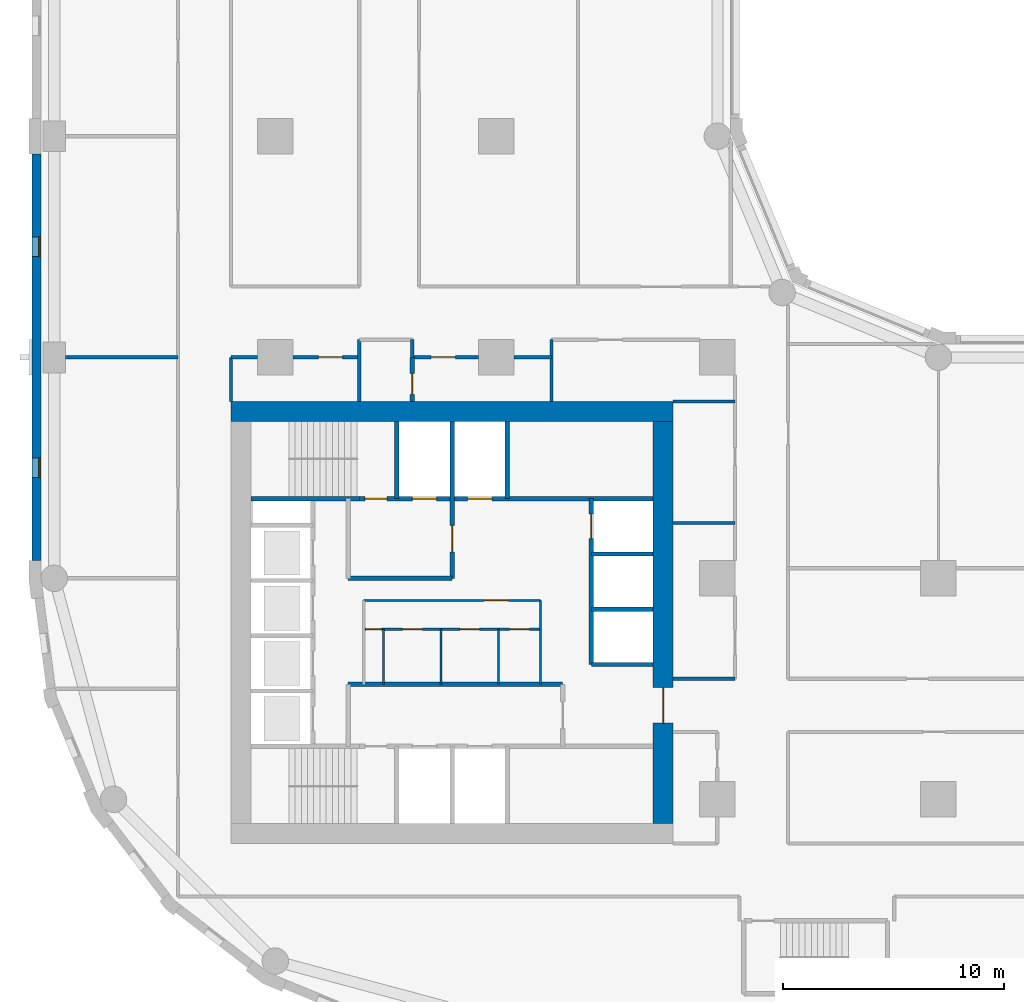
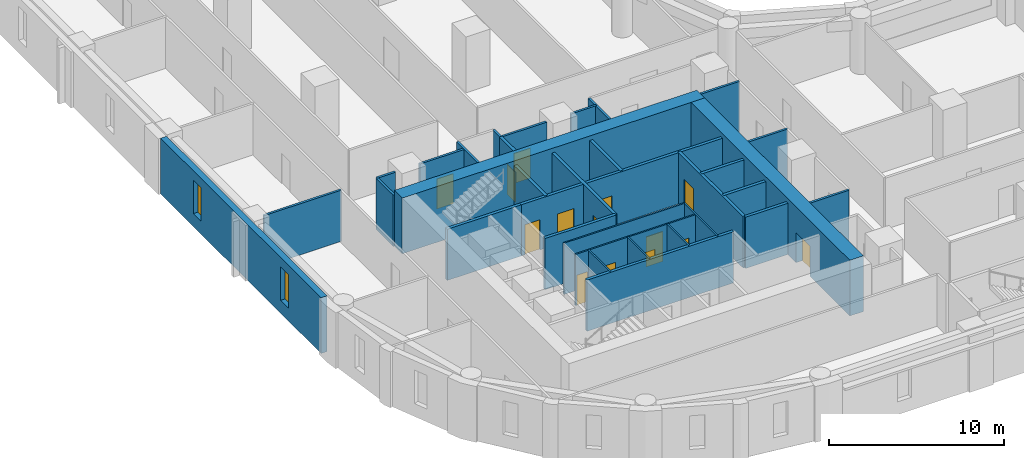
# One storey, part 3 of 10: 33 walls, 14 doors, 2 windows, 16 openings.
"""IFC4 building model written with IfcOpenShell, lengths in metres."""

from ifc_helpers import new_model, si_unit, direction, frame, frame_2d, origin, place, context, subcontext, project, spatial, rectangle, extrude, material, layer, layer_set, type_object, element, fill, save


model = new_model("IFC4")

# Units and contexts
model_context = context("Model", 3, precision=1e-05, world=origin(), true_north=direction((0.0, 1.0)))
body_context = subcontext(model_context, "Body", "Model", "MODEL_VIEW")
ifc_project = project(units=[si_unit("LENGTHUNIT", "METRE"), si_unit("AREAUNIT", "SQUARE_METRE"), si_unit("VOLUMEUNIT", "CUBIC_METRE"), si_unit("PLANEANGLEUNIT", "RADIAN"), si_unit("MASSUNIT", "GRAM", prefix="KILO")], contexts=[model_context])

# Site, building, storey
site_placement = place(None, origin())
site = spatial("IfcSite", under=ifc_project, at=site_placement, CompositionType="ELEMENT")
building_placement = place(site_placement, origin())
building = spatial("IfcBuilding", under=site, at=building_placement, Name="Qaws Garden Tower", CompositionType="ELEMENT")
storey_placement = place(building_placement, frame((0.0, 0.0, 70.5)))
storey = spatial("IfcBuildingStorey", under=building, at=storey_placement, Name="L17", CompositionType="ELEMENT", Elevation=70.5)

# Wall, opening, door
ifc_material_1 = material(Name="Blockwork", Category="masonry")
ifc_layer_1 = layer(ifc_material_1, 0.199951171875)
ifc_layer_set_1 = layer_set([ifc_layer_1], Name="Blockwork")
wall_type_1 = type_object("IfcWallType", Name="BLOCK WALL 200 EI 60", PredefinedType="PARTITIONING", material=ifc_layer_set_1)
wall_1_placement = place(storey_placement, frame((16.199951171875, 28.0, 0.0), z_axis=(0.0, 0.0, 1.0), x_axis=(0.0, 1.0, 0.0)))
wall_1 = element("IfcWall", 1, at=wall_1_placement, inside=storey, type_object=wall_type_1, Name="O-L17-wall-066", PredefinedType="PARTITIONING", context=body_context, shape_type="SweptSolid", body=[
    extrude(rectangle(XDim=2.0, YDim=0.199951171875, at=frame_2d((1.0, 0.0))), origin(), (0.0, 0.0, 1.0), 3.580078125),
])
opening_1_placement = place(wall_1_placement, frame((0.324951171875, 0.0, 0.0)))
opening_1 = element("IfcOpeningElement", 2, at=opening_1_placement, cuts=wall_1, Name="Opening A629", PredefinedType="OPENING", context=body_context, shape_type="SweptSolid", body=[
    extrude(rectangle(XDim=0.949951171875, YDim=2.10009765625, at=frame_2d((0.47509765625, 1.050048828125))), frame((0.0, 0.10986328125, 0.0), z_axis=(0.0, -1.0, 0.0), x_axis=(1.0, 0.0, 0.0)), (0.0, 0.0, 1.0), 0.219970703125),
])
ifc_material_2 = material(Name="Timber and glass door leaf", Category="wood")
door_type_1 = type_object("IfcDoorType", Name="GLAZED DOOR 950 X 2100", OperationType="SINGLE_SWING_LEFT", PredefinedType="DOOR", material=ifc_material_2)
door_1_placement = place(opening_1_placement, origin())
door_1 = element("IfcDoor", 3, at=door_1_placement, inside=storey, type_object=door_type_1, Name="O-L17-door-029", OperationType="SINGLE_SWING_LEFT", OverallHeight=2.10009765625, OverallWidth=0.949951171875, PredefinedType="DOOR", context=body_context, shape_type="SweptSolid", body=[
    extrude(rectangle(XDim=0.949951171875, YDim=2.10009765625, at=frame_2d((0.47509765625, 1.050048828125))), frame((0.0, 0.02490234375, 0.0), z_axis=(0.0, -1.0, 0.0), x_axis=(1.0, 0.0, 0.0)), (0.0, 0.0, 1.0), 0.050048828125),
])
fill(opening_1, door_1)

# Wall, openings, windows
ifc_material_3 = material(Name="Clay facing brick masonry", Category="masonry")
ifc_layer_2 = layer(ifc_material_3, 0.39990234375)
ifc_layer_set_2 = layer_set([ifc_layer_2], Name="Clay facing brick masonry")
wall_type_2 = type_object("IfcWallType", Name="Brick infill wall 400", PredefinedType="SOLIDWALL", material=ifc_layer_set_2)
wall_2_placement = place(storey_placement, frame((-0.800048828125, 39.199951171875, 0.0), z_axis=(0.0, 0.0, 1.0), x_axis=(0.0, -1.0, 0.0)))
wall_2 = element("IfcWall", 4, at=wall_2_placement, inside=storey, type_object=wall_type_2, Name="E-L17-infill-25", PredefinedType="SOLIDWALL", context=body_context, shape_type="SweptSolid", body=[
    extrude(rectangle(XDim=18.39990234375, YDim=0.39990234375, at=frame_2d((9.199951171875, 0.0))), origin(), (0.0, 0.0, 1.0), 3.89990234375),
])
opening_2_placement = place(wall_2_placement, frame((3.75, 0.0, 0.89990234375)))
opening_2 = element("IfcOpeningElement", 5, at=opening_2_placement, cuts=wall_2, Name="Opening W09", PredefinedType="OPENING", context=body_context, shape_type="SweptSolid", body=[
    extrude(rectangle(XDim=0.89990234375, YDim=2.35009765625, at=frame_2d((0.449951171875, 1.175048828125))), frame((0.0, 0.2099609375, 0.0), z_axis=(0.0, -1.0, 0.0), x_axis=(1.0, 0.0, 0.0)), (0.0, 0.0, 1.0), 0.419921875),
])
opening_3_placement = place(wall_2_placement, frame((13.75, 0.0, 0.89990234375)))
opening_3 = element("IfcOpeningElement", 6, at=opening_3_placement, cuts=wall_2, Name="Opening W09", PredefinedType="OPENING", context=body_context, shape_type="SweptSolid", body=[
    extrude(rectangle(XDim=0.89990234375, YDim=2.35009765625, at=frame_2d((0.449951171875, 1.175048828125))), frame((0.0, 0.2099609375, 0.0), z_axis=(0.0, -1.0, 0.0), x_axis=(1.0, 0.0, 0.0)), (0.0, 0.0, 1.0), 0.419921875),
])
ifc_material_4 = material(Name="Aluminium framed window, clear glazing", Category="aluminium")
window_type = type_object("IfcWindowType", Name="Slit window 900 x 2350", PartitioningType="SINGLE_PANEL", PredefinedType="WINDOW", material=ifc_material_4)
window_1_placement = place(opening_2_placement, origin())
window_1 = element("IfcWindow", 7, at=window_1_placement, inside=storey, type_object=window_type, Name="E-L17-window-25-0", OverallHeight=2.35009765625, OverallWidth=0.89990234375, PartitioningType="SINGLE_PANEL", PredefinedType="WINDOW", context=body_context, shape_type="SweptSolid", body=[
    extrude(rectangle(XDim=0.89990234375, YDim=2.35009765625, at=frame_2d((0.449951171875, 1.175048828125))), frame((0.0, 0.159912109375, 0.0), z_axis=(0.0, -1.0, 0.0), x_axis=(1.0, 0.0, 0.0)), (0.0, 0.0, 1.0), 0.06005859375),
])
fill(opening_2, window_1)
window_2_placement = place(opening_3_placement, origin())
window_2 = element("IfcWindow", 8, at=window_2_placement, inside=storey, type_object=window_type, Name="E-L17-window-26-0", OverallHeight=2.35009765625, OverallWidth=0.89990234375, PartitioningType="SINGLE_PANEL", PredefinedType="WINDOW", context=body_context, shape_type="SweptSolid", body=[
    extrude(rectangle(XDim=0.89990234375, YDim=2.35009765625, at=frame_2d((0.449951171875, 1.175048828125))), frame((0.0, 0.159912109375, 0.0), z_axis=(0.0, -1.0, 0.0), x_axis=(1.0, 0.0, 0.0)), (0.0, 0.0, 1.0), 0.06005859375),
])
fill(opening_3, window_2)

# Wall, openings, doors
ifc_material_5 = material(Name="Plasterboard")
ifc_layer_3 = layer(ifc_material_5, 0.10009765625)
ifc_layer_set_3 = layer_set([ifc_layer_3], Name="Plasterboard")
wall_type_3 = type_object("IfcWallType", Name="Core partition 100", PredefinedType="PARTITIONING", material=ifc_layer_set_3)
wall_3_placement = place(storey_placement, frame((14.0, 17.699951171875, 0.0), z_axis=(0.0, 0.0, 1.0), x_axis=(1.0, 0.0, 0.0)))
wall_3 = element("IfcWall", 9, at=wall_3_placement, inside=storey, type_object=wall_type_3, Name="Core partition", PredefinedType="PARTITIONING", context=body_context, shape_type="SweptSolid", body=[
    extrude(rectangle(XDim=8.0, YDim=0.10009765625, at=frame_2d((4.0, 0.0))), origin(), (0.0, 0.0, 1.0), 3.580078125),
])
opening_4_placement = place(wall_3_placement, frame((0.10009765625, 0.0, 0.0)))
opening_4 = element("IfcOpeningElement", 10, at=opening_4_placement, cuts=wall_3, Name="Opening XD18", PredefinedType="OPENING", context=body_context, shape_type="SweptSolid", body=[
    extrude(rectangle(XDim=0.699951171875, YDim=2.10009765625, at=frame_2d((0.35009765625, 1.050048828125))), frame((0.0, 0.06005859375, 0.0), z_axis=(0.0, -1.0, 0.0), x_axis=(1.0, 0.0, 0.0)), (0.0, 0.0, 1.0), 0.1201171875),
])
opening_5_placement = place(wall_3_placement, frame((1.75, 0.0, 0.0)))
opening_5 = element("IfcOpeningElement", 11, at=opening_5_placement, cuts=wall_3, Name="Opening WD19", PredefinedType="OPENING", context=body_context, shape_type="SweptSolid", body=[
    extrude(rectangle(XDim=0.89990234375, YDim=2.10009765625, at=frame_2d((0.449951171875, 1.050048828125))), frame((0.0, 0.06005859375, 0.0), z_axis=(0.0, -1.0, 0.0), x_axis=(1.0, 0.0, 0.0)), (0.0, 0.0, 1.0), 0.1201171875),
])
opening_6_placement = place(wall_3_placement, frame((4.35009765625, 0.0, 0.0)))
opening_6 = element("IfcOpeningElement", 12, at=opening_6_placement, cuts=wall_3, Name="Opening WD20", PredefinedType="OPENING", context=body_context, shape_type="SweptSolid", body=[
    extrude(rectangle(XDim=0.89990234375, YDim=2.10009765625, at=frame_2d((0.449951171875, 1.050048828125))), frame((0.0, 0.06005859375, 0.0), z_axis=(0.0, -1.0, 0.0), x_axis=(1.0, 0.0, 0.0)), (0.0, 0.0, 1.0), 0.1201171875),
])
opening_7_placement = place(wall_3_placement, frame((6.60009765625, 0.0, 0.0)))
opening_7 = element("IfcOpeningElement", 13, at=opening_7_placement, cuts=wall_3, Name="Opening WD21", PredefinedType="OPENING", context=body_context, shape_type="SweptSolid", body=[
    extrude(rectangle(XDim=0.89990234375, YDim=2.10009765625, at=frame_2d((0.449951171875, 1.050048828125))), frame((0.0, 0.06005859375, 0.0), z_axis=(0.0, -1.0, 0.0), x_axis=(1.0, 0.0, 0.0)), (0.0, 0.0, 1.0), 0.1201171875),
])
ifc_material_6 = material(Name="Timber", Category="wood")
door_type_2 = type_object("IfcDoorType", Name="Store door 700x2100", OperationType="SINGLE_SWING_LEFT", PredefinedType="DOOR", material=ifc_material_6)
door_2_placement = place(opening_4_placement, frame((0.699951171875, 0.0, 0.0), z_axis=(0.0, 0.0, 1.0), x_axis=(-1.0, 0.0, 0.0)))
door_2 = element("IfcDoor", 14, at=door_2_placement, inside=storey, type_object=door_type_2, Name="Cleaner's store door", OperationType="SINGLE_SWING_LEFT", OverallHeight=2.10009765625, OverallWidth=0.699951171875, PredefinedType="DOOR", context=body_context, shape_type="SweptSolid", body=[
    extrude(rectangle(XDim=0.699951171875, YDim=2.10009765625, at=frame_2d((0.35009765625, 1.050048828125))), frame((0.0, 0.02490234375, 0.0), z_axis=(0.0, -1.0, 0.0), x_axis=(1.0, 0.0, 0.0)), (0.0, 0.0, 1.0), 0.050048828125),
])
fill(opening_4, door_2)
ifc_material_7 = material(Name="Timber", Category="wood")
door_type_3 = type_object("IfcDoorType", Name="WC door 900x2100", OperationType="SINGLE_SWING_LEFT", PredefinedType="DOOR", material=ifc_material_7)
door_3_placement = place(opening_5_placement, frame((0.89990234375, 0.0, 0.0), z_axis=(0.0, 0.0, 1.0), x_axis=(-1.0, 0.0, 0.0)))
door_3 = element("IfcDoor", 15, at=door_3_placement, inside=storey, type_object=door_type_3, Name="Men's WC door", OperationType="SINGLE_SWING_LEFT", OverallHeight=2.10009765625, OverallWidth=0.89990234375, PredefinedType="DOOR", context=body_context, shape_type="SweptSolid", body=[
    extrude(rectangle(XDim=0.89990234375, YDim=2.10009765625, at=frame_2d((0.449951171875, 1.050048828125))), frame((0.0, 0.02490234375, 0.0), z_axis=(0.0, -1.0, 0.0), x_axis=(1.0, 0.0, 0.0)), (0.0, 0.0, 1.0), 0.050048828125),
])
fill(opening_5, door_3)
door_4_placement = place(opening_6_placement, frame((0.89990234375, 0.0, 0.0), z_axis=(0.0, 0.0, 1.0), x_axis=(-1.0, 0.0, 0.0)))
door_4 = element("IfcDoor", 16, at=door_4_placement, inside=storey, type_object=door_type_3, Name="Women's WC door", OperationType="SINGLE_SWING_LEFT", OverallHeight=2.10009765625, OverallWidth=0.89990234375, PredefinedType="DOOR", context=body_context, shape_type="SweptSolid", body=[
    extrude(rectangle(XDim=0.89990234375, YDim=2.10009765625, at=frame_2d((0.449951171875, 1.050048828125))), frame((0.0, 0.02490234375, 0.0), z_axis=(0.0, -1.0, 0.0), x_axis=(1.0, 0.0, 0.0)), (0.0, 0.0, 1.0), 0.050048828125),
])
fill(opening_6, door_4)
door_5_placement = place(opening_7_placement, frame((0.89990234375, 0.0, 0.0), z_axis=(0.0, 0.0, 1.0), x_axis=(-1.0, 0.0, 0.0)))
door_5 = element("IfcDoor", 17, at=door_5_placement, inside=storey, type_object=door_type_3, Name="Accessible WC door", OperationType="SINGLE_SWING_LEFT", OverallHeight=2.10009765625, OverallWidth=0.89990234375, PredefinedType="DOOR", context=body_context, shape_type="SweptSolid", body=[
    extrude(rectangle(XDim=0.89990234375, YDim=2.10009765625, at=frame_2d((0.449951171875, 1.050048828125))), frame((0.0, 0.02490234375, 0.0), z_axis=(0.0, -1.0, 0.0), x_axis=(1.0, 0.0, 0.0)), (0.0, 0.0, 1.0), 0.050048828125),
])
fill(opening_7, door_5)

# Wall, opening, door
wall_4_placement = place(storey_placement, frame((14.0, 19.0, 0.0), z_axis=(0.0, 0.0, 1.0), x_axis=(1.0, 0.0, 0.0)))
wall_4 = element("IfcWall", 18, at=wall_4_placement, inside=storey, type_object=wall_type_3, Name="Core partition", PredefinedType="PARTITIONING", context=body_context, shape_type="SweptSolid", body=[
    extrude(rectangle(XDim=8.0, YDim=0.10009765625, at=frame_2d((4.0, 0.0))), origin(), (0.0, 0.0, 1.0), 3.580078125),
])
opening_8_placement = place(wall_4_placement, frame((5.449951171875, 0.0, 0.0)))
opening_8 = element("IfcOpeningElement", 19, at=opening_8_placement, cuts=wall_4, Name="Opening WL17", PredefinedType="OPENING", context=body_context, shape_type="SweptSolid", body=[
    extrude(rectangle(XDim=1.10009765625, YDim=2.10009765625, at=frame_2d((0.550048828125, 1.050048828125))), frame((0.0, 0.06005859375, 0.0), z_axis=(0.0, -1.0, 0.0), x_axis=(1.0, 0.0, 0.0)), (0.0, 0.0, 1.0), 0.1201171875),
])
ifc_material_8 = material(Name="Timber", Category="wood")
door_type_4 = type_object("IfcDoorType", Name="WC lobby door 1100x2100", OperationType="SINGLE_SWING_LEFT", PredefinedType="DOOR", material=ifc_material_8)
door_6_placement = place(opening_8_placement, frame((1.10009765625, 0.0, 0.0), z_axis=(0.0, 0.0, 1.0), x_axis=(-1.0, 0.0, 0.0)))
door_6 = element("IfcDoor", 20, at=door_6_placement, inside=storey, type_object=door_type_4, Name="WC lobby door", OperationType="SINGLE_SWING_LEFT", OverallHeight=2.10009765625, OverallWidth=1.10009765625, PredefinedType="DOOR", context=body_context, shape_type="SweptSolid", body=[
    extrude(rectangle(XDim=1.10009765625, YDim=2.10009765625, at=frame_2d((0.550048828125, 1.050048828125))), frame((0.0, 0.02490234375, 0.0), z_axis=(0.0, -1.0, 0.0), x_axis=(1.0, 0.0, 0.0)), (0.0, 0.0, 1.0), 0.050048828125),
])
fill(opening_8, door_6)

# Walls
for number, where, z_axis, x_axis, name in (
    (21, (14.89990234375, 15.199951171875, 0.0), (0.0, 0.0, 1.0), (0.0, 1.0, 0.0), "Core partition"),
    (22, (17.5, 15.199951171875, 0.0), (0.0, 0.0, 1.0), (0.0, 1.0, 0.0), "Core partition"),
    (23, (20.10009765625, 15.199951171875, 0.0), (0.0, 0.0, 1.0), (0.0, 1.0, 0.0), "Core partition"),
):
    element("IfcWall", number, at=place(storey_placement, frame(where, z_axis=z_axis, x_axis=x_axis)), inside=storey, type_object=wall_type_3, Name=name, PredefinedType="PARTITIONING", context=body_context, shape_type="SweptSolid", body=[
        extrude(rectangle(XDim=2.5, YDim=0.10009765625, at=frame_2d((1.25, 0.0))), origin(), (0.0, 0.0, 1.0), 3.580078125),
    ])
wall_5_placement = place(storey_placement, frame((22.0, 15.199951171875, 0.0), z_axis=(0.0, 0.0, 1.0), x_axis=(0.0, 1.0, 0.0)))
element("IfcWall", 24, at=wall_5_placement, inside=storey, type_object=wall_type_3, Name="Core partition", PredefinedType="PARTITIONING", context=body_context, shape_type="SweptSolid", body=[
    extrude(rectangle(XDim=3.800048828125, YDim=0.10009765625, at=frame_2d((1.89990234375, 0.0))), origin(), (0.0, 0.0, 1.0), 3.580078125),
])
ifc_material_9 = material(Name="Concrete C80", Category="concrete")
ifc_layer_4 = layer(ifc_material_9, 0.199951171875)
ifc_layer_set_4 = layer_set([ifc_layer_4], Name="Concrete C80")
wall_type_4 = type_object("IfcWallType", Name="Core shaft wall 200 C80", PredefinedType="SHEAR", material=ifc_layer_set_4)
wall_6_placement = place(storey_placement, frame((13.300048828125, 15.199951171875, 0.0), z_axis=(0.0, 0.0, 1.0), x_axis=(1.0, 0.0, 0.0)))
element("IfcWall", 25, at=wall_6_placement, inside=storey, type_object=wall_type_4, Name="Shaft wall", PredefinedType="SHEAR", context=body_context, shape_type="SweptSolid", body=[
    extrude(rectangle(XDim=9.699951171875, YDim=0.199951171875, at=frame_2d((4.85009765625, 0.0))), origin(), (0.0, 0.0, 1.0), 3.580078125),
])
for number, where, z_axis, x_axis, name in (
    (26, (24.300048828125, 16.10009765625, 0.0), (0.0, 0.0, 1.0), (1.0, 0.0, 0.0), "Shaft wall"),
    (27, (24.300048828125, 18.60009765625, 0.0), (0.0, 0.0, 1.0), (1.0, 0.0, 0.0), "Shaft wall"),
):
    element("IfcWall", number, at=place(storey_placement, frame(where, z_axis=z_axis, x_axis=x_axis)), inside=storey, type_object=wall_type_4, Name=name, PredefinedType="SHEAR", context=body_context, shape_type="SweptSolid", body=[
        extrude(rectangle(XDim=2.800048828125, YDim=0.199951171875, at=frame_2d((1.39990234375, 0.0))), origin(), (0.0, 0.0, 1.0), 3.580078125),
    ])
wall_7_placement = place(storey_placement, frame((13.300048828125, 20.0, 0.0), z_axis=(0.0, 0.0, 1.0), x_axis=(1.0, 0.0, 0.0)))
element("IfcWall", 28, at=wall_7_placement, inside=storey, type_object=wall_type_4, Name="Shaft wall", PredefinedType="SHEAR", context=body_context, shape_type="SweptSolid", body=[
    extrude(rectangle(XDim=4.699951171875, YDim=0.199951171875, at=frame_2d((2.35009765625, 0.0))), origin(), (0.0, 0.0, 1.0), 3.580078125),
])
wall_8_placement = place(storey_placement, frame((24.300048828125, 21.10009765625, 0.0), z_axis=(0.0, 0.0, 1.0), x_axis=(1.0, 0.0, 0.0)))
element("IfcWall", 29, at=wall_8_placement, inside=storey, type_object=wall_type_4, Name="Shaft wall", PredefinedType="SHEAR", context=body_context, shape_type="SweptSolid", body=[
    extrude(rectangle(XDim=2.800048828125, YDim=0.199951171875, at=frame_2d((1.39990234375, 0.0))), origin(), (0.0, 0.0, 1.0), 3.580078125),
])
wall_9_placement = place(storey_placement, frame((8.89990234375, 23.60009765625, 0.0), z_axis=(0.0, 0.0, 1.0), x_axis=(1.0, 0.0, 0.0)))
element("IfcWall", 30, at=wall_9_placement, inside=storey, type_object=wall_type_4, Name="Shaft wall", PredefinedType="SHEAR", context=body_context, shape_type="SweptSolid", body=[
    extrude(rectangle(XDim=4.900146484375, YDim=0.199951171875, at=frame_2d((2.4501953125, 0.0))), origin(), (0.0, 0.0, 1.0), 3.580078125),
])

# Wall, openings, doors
wall_10_placement = place(storey_placement, frame((13.800048828125, 23.60009765625, 0.0), z_axis=(0.0, 0.0, 1.0), x_axis=(1.0, 0.0, 0.0)))
wall_10 = element("IfcWall", 31, at=wall_10_placement, inside=storey, type_object=wall_type_4, Name="Shaft wall", PredefinedType="SHEAR", context=body_context, shape_type="SweptSolid", body=[
    extrude(rectangle(XDim=13.300048828125, YDim=0.199951171875, at=frame_2d((6.64990234375, 0.0))), origin(), (0.0, 0.0, 1.0), 3.580078125),
])
opening_9_placement = place(wall_10_placement, frame((2.39990234375, 0.0, 0.0)))
opening_9 = element("IfcOpeningElement", 32, at=opening_9_placement, cuts=wall_10, Name="Opening LD08", PredefinedType="OPENING", context=body_context, shape_type="SweptSolid", body=[
    extrude(rectangle(XDim=1.10009765625, YDim=2.10009765625, at=frame_2d((0.550048828125, 1.050048828125))), frame((0.0, 0.10986328125, 0.0), z_axis=(0.0, -1.0, 0.0), x_axis=(1.0, 0.0, 0.0)), (0.0, 0.0, 1.0), 0.219970703125),
])
opening_10_placement = place(wall_10_placement, frame((4.89990234375, 0.0, 0.0)))
opening_10 = element("IfcOpeningElement", 33, at=opening_10_placement, cuts=wall_10, Name="Opening LD09", PredefinedType="OPENING", context=body_context, shape_type="SweptSolid", body=[
    extrude(rectangle(XDim=1.10009765625, YDim=2.10009765625, at=frame_2d((0.550048828125, 1.050048828125))), frame((0.0, 0.10986328125, 0.0), z_axis=(0.0, -1.0, 0.0), x_axis=(1.0, 0.0, 0.0)), (0.0, 0.0, 1.0), 0.219970703125),
])
opening_11_placement = place(wall_10_placement, frame((0.25, 0.0, 0.0)))
opening_11 = element("IfcOpeningElement", 34, at=opening_11_placement, cuts=wall_10, Name="Opening SD11", PredefinedType="OPENING", context=body_context, shape_type="SweptSolid", body=[
    extrude(rectangle(XDim=1.0, YDim=2.10009765625, at=frame_2d((0.5, 1.050048828125))), frame((0.0, 0.10986328125, 0.0), z_axis=(0.0, -1.0, 0.0), x_axis=(1.0, 0.0, 0.0)), (0.0, 0.0, 1.0), 0.219970703125),
])
ifc_material_10 = material(Name="Steel S235", Category="steel")
door_type_5 = type_object("IfcDoorType", Name="Landing door 1100x2100", OperationType="DOUBLE_DOOR_SLIDING", PredefinedType="DOOR", material=ifc_material_10)
door_7_placement = place(opening_9_placement, origin())
door_7 = element("IfcDoor", 35, at=door_7_placement, inside=storey, type_object=door_type_5, Name="Lift FF3 landing door", OperationType="DOUBLE_DOOR_SLIDING", OverallHeight=2.10009765625, OverallWidth=1.10009765625, PredefinedType="DOOR", context=body_context, shape_type="SweptSolid", body=[
    extrude(rectangle(XDim=1.10009765625, YDim=2.10009765625, at=frame_2d((0.550048828125, 1.050048828125))), frame((0.0, 0.02490234375, 0.0), z_axis=(0.0, -1.0, 0.0), x_axis=(1.0, 0.0, 0.0)), (0.0, 0.0, 1.0), 0.050048828125),
])
fill(opening_9, door_7)
door_8_placement = place(opening_10_placement, origin())
door_8 = element("IfcDoor", 36, at=door_8_placement, inside=storey, type_object=door_type_5, Name="Lift SV2 landing door", OperationType="DOUBLE_DOOR_SLIDING", OverallHeight=2.10009765625, OverallWidth=1.10009765625, PredefinedType="DOOR", context=body_context, shape_type="SweptSolid", body=[
    extrude(rectangle(XDim=1.10009765625, YDim=2.10009765625, at=frame_2d((0.550048828125, 1.050048828125))), frame((0.0, 0.02490234375, 0.0), z_axis=(0.0, -1.0, 0.0), x_axis=(1.0, 0.0, 0.0)), (0.0, 0.0, 1.0), 0.050048828125),
])
fill(opening_10, door_8)
ifc_material_11 = material(Name="Steel S235", Category="steel")
door_type_6 = type_object("IfcDoorType", Name="Stair door 1000x2100", OperationType="SINGLE_SWING_RIGHT", PredefinedType="DOOR", material=ifc_material_11)
door_9_placement = place(opening_11_placement, origin())
door_9 = element("IfcDoor", 37, at=door_9_placement, inside=storey, type_object=door_type_6, Name="Stair 4 door", OperationType="SINGLE_SWING_RIGHT", OverallHeight=2.10009765625, OverallWidth=1.0, PredefinedType="DOOR", context=body_context, shape_type="SweptSolid", body=[
    extrude(rectangle(XDim=1.0, YDim=2.10009765625, at=frame_2d((0.5, 1.050048828125))), frame((0.0, 0.02490234375, 0.0), z_axis=(0.0, -1.0, 0.0), x_axis=(1.0, 0.0, 0.0)), (0.0, 0.0, 1.0), 0.050048828125),
])
fill(opening_11, door_9)

# Wall
wall_11_placement = place(storey_placement, frame((15.5, 23.60009765625, 0.0), z_axis=(0.0, 0.0, 1.0), x_axis=(0.0, 1.0, 0.0)))
element("IfcWall", 38, at=wall_11_placement, inside=storey, type_object=wall_type_4, Name="Shaft wall", PredefinedType="SHEAR", context=body_context, shape_type="SweptSolid", body=[
    extrude(rectangle(XDim=3.5, YDim=0.199951171875, at=frame_2d((1.75, 0.0))), origin(), (0.0, 0.0, 1.0), 3.580078125),
])

# Wall, opening, door
wall_12_placement = place(storey_placement, frame((18.0, 20.0, 0.0), z_axis=(0.0, 0.0, 1.0), x_axis=(0.0, 1.0, 0.0)))
wall_12 = element("IfcWall", 39, at=wall_12_placement, inside=storey, type_object=wall_type_4, Name="Shaft wall", PredefinedType="SHEAR", context=body_context, shape_type="SweptSolid", body=[
    extrude(rectangle(XDim=7.10009765625, YDim=0.199951171875, at=frame_2d((3.550048828125, 0.0))), origin(), (0.0, 0.0, 1.0), 3.580078125),
])
opening_12_placement = place(wall_12_placement, frame((1.199951171875, 0.0, 0.0)))
opening_12 = element("IfcOpeningElement", 40, at=opening_12_placement, cuts=wall_12, Name="Opening FD16", PredefinedType="OPENING", context=body_context, shape_type="SweptSolid", body=[
    extrude(rectangle(XDim=1.199951171875, YDim=2.10009765625, at=frame_2d((0.60009765625, 1.050048828125))), frame((0.0, 0.10986328125, 0.0), z_axis=(0.0, -1.0, 0.0), x_axis=(1.0, 0.0, 0.0)), (0.0, 0.0, 1.0), 0.219970703125),
])
ifc_material_12 = material(Name="Steel S235", Category="steel")
door_type_7 = type_object("IfcDoorType", Name="Lobby door 1200x2100", OperationType="DOUBLE_DOOR_SINGLE_SWING", PredefinedType="DOOR", material=ifc_material_12)
door_10_placement = place(opening_12_placement, origin())
door_10 = element("IfcDoor", 41, at=door_10_placement, inside=storey, type_object=door_type_7, Name="Fire-fighting lobby door", OperationType="DOUBLE_DOOR_SINGLE_SWING", OverallHeight=2.10009765625, OverallWidth=1.199951171875, PredefinedType="DOOR", context=body_context, shape_type="SweptSolid", body=[
    extrude(rectangle(XDim=1.199951171875, YDim=2.10009765625, at=frame_2d((0.60009765625, 1.050048828125))), frame((0.0, 0.02490234375, 0.0), z_axis=(0.0, -1.0, 0.0), x_axis=(1.0, 0.0, 0.0)), (0.0, 0.0, 1.0), 0.050048828125),
])
fill(opening_12, door_10)

# Wall
wall_13_placement = place(storey_placement, frame((20.5, 23.60009765625, 0.0), z_axis=(0.0, 0.0, 1.0), x_axis=(0.0, 1.0, 0.0)))
element("IfcWall", 42, at=wall_13_placement, inside=storey, type_object=wall_type_4, Name="Shaft wall", PredefinedType="SHEAR", context=body_context, shape_type="SweptSolid", body=[
    extrude(rectangle(XDim=3.5, YDim=0.199951171875, at=frame_2d((1.75, 0.0))), origin(), (0.0, 0.0, 1.0), 3.580078125),
])

# Wall, opening, door
wall_14_placement = place(storey_placement, frame((24.300048828125, 16.10009765625, 0.0), z_axis=(0.0, 0.0, 1.0), x_axis=(0.0, 1.0, 0.0)))
wall_14 = element("IfcWall", 43, at=wall_14_placement, inside=storey, type_object=wall_type_4, Name="Shaft wall", PredefinedType="SHEAR", context=body_context, shape_type="SweptSolid", body=[
    extrude(rectangle(XDim=7.5, YDim=0.199951171875, at=frame_2d((3.75, 0.0))), origin(), (0.0, 0.0, 1.0), 3.580078125),
])
opening_13_placement = place(wall_14_placement, frame((5.699951171875, 0.0, 0.0)))
opening_13 = element("IfcOpeningElement", 44, at=opening_13_placement, cuts=wall_14, Name="Opening LD05", PredefinedType="OPENING", context=body_context, shape_type="SweptSolid", body=[
    extrude(rectangle(XDim=1.10009765625, YDim=2.10009765625, at=frame_2d((0.550048828125, 1.050048828125))), frame((0.0, 0.10986328125, 0.0), z_axis=(0.0, -1.0, 0.0), x_axis=(1.0, 0.0, 0.0)), (0.0, 0.0, 1.0), 0.219970703125),
])
door_11_placement = place(opening_13_placement, origin())
door_11 = element("IfcDoor", 45, at=door_11_placement, inside=storey, type_object=door_type_5, Name="Lift E3 landing door", OperationType="DOUBLE_DOOR_SLIDING", OverallHeight=2.10009765625, OverallWidth=1.10009765625, PredefinedType="DOOR", context=body_context, shape_type="SweptSolid", body=[
    extrude(rectangle(XDim=1.10009765625, YDim=2.10009765625, at=frame_2d((0.550048828125, 1.050048828125))), frame((0.0, 0.02490234375, 0.0), z_axis=(0.0, -1.0, 0.0), x_axis=(1.0, 0.0, 0.0)), (0.0, 0.0, 1.0), 0.050048828125),
])
fill(opening_13, door_11)

ifc_material_13 = material(Name="Concrete C80", Category="concrete")
ifc_layer_5 = layer(ifc_material_13, 0.89990234375)
ifc_layer_set_5 = layer_set([ifc_layer_5], Name="Concrete C80")
wall_type_5 = type_object("IfcWallType", Name="Core wall 900 C80", PredefinedType="SHEAR", material=ifc_layer_set_5)
wall_15_placement = place(storey_placement, frame((27.550048828125, 8.89990234375, 0.0), z_axis=(0.0, 0.0, 1.0), x_axis=(0.0, 1.0, 0.0)))
wall_15 = element("IfcWall", 46, at=wall_15_placement, inside=storey, type_object=wall_type_5, Name="Core wall L17 east", PredefinedType="SHEAR", context=body_context, shape_type="SweptSolid", body=[
    extrude(rectangle(XDim=18.2001953125, YDim=0.89990234375, at=frame_2d((9.10009765625, 0.0))), origin(), (0.0, 0.0, 1.0), 3.89990234375),
])
opening_14_placement = place(wall_15_placement, frame((4.550048828125, 0.0, 0.0)))
opening_14 = element("IfcOpeningElement", 47, at=opening_14_placement, cuts=wall_15, Name="Opening ED22", PredefinedType="OPENING", context=body_context, shape_type="SweptSolid", body=[
    extrude(rectangle(XDim=1.60009765625, YDim=2.10009765625, at=frame_2d((0.800048828125, 1.050048828125))), frame((0.0, 0.4599609375, 0.0), z_axis=(0.0, -1.0, 0.0), x_axis=(1.0, 0.0, 0.0)), (0.0, 0.0, 1.0), 0.919921875),
])
ifc_material_14 = material(Name="Steel S235", Category="steel")
door_type_8 = type_object("IfcDoorType", Name="Core entrance door 1600x2100", OperationType="DOUBLE_DOOR_SINGLE_SWING", PredefinedType="DOOR", material=ifc_material_14)
door_12_placement = place(opening_14_placement, origin())
door_12 = element("IfcDoor", 48, at=door_12_placement, inside=storey, type_object=door_type_8, Name="Core entrance door", OperationType="DOUBLE_DOOR_SINGLE_SWING", OverallHeight=2.10009765625, OverallWidth=1.60009765625, PredefinedType="DOOR", context=body_context, shape_type="SweptSolid", body=[
    extrude(rectangle(XDim=1.60009765625, YDim=2.10009765625, at=frame_2d((0.800048828125, 1.050048828125))), frame((0.0, 0.02490234375, 0.0), z_axis=(0.0, -1.0, 0.0), x_axis=(1.0, 0.0, 0.0)), (0.0, 0.0, 1.0), 0.050048828125),
])
fill(opening_14, door_12)

# Walls
wall_16_placement = place(storey_placement, frame((28.0, 27.550048828125, 0.0), z_axis=(0.0, 0.0, 1.0), x_axis=(-1.0, 0.0, 0.0)))
element("IfcWall", 49, at=wall_16_placement, inside=storey, type_object=wall_type_5, Name="Core wall L17 north", PredefinedType="SHEAR", context=body_context, shape_type="SweptSolid", body=[
    extrude(rectangle(XDim=20.0, YDim=0.89990234375, at=frame_2d((10.0, 0.0))), origin(), (0.0, 0.0, 1.0), 3.89990234375),
])
ifc_material_15 = material(Name="Gypsum board partition")
ifc_layer_6 = layer(ifc_material_15, 0.14990234375)
ifc_layer_set_6 = layer_set([ifc_layer_6], Name="Gypsum board partition")
wall_type_6 = type_object("IfcWallType", Name="PARTITION 150 EI 60", PredefinedType="PARTITIONING", material=ifc_layer_set_6)
wall_17_placement = place(storey_placement, frame((8.0, 28.0, 0.0), z_axis=(0.0, 0.0, 1.0), x_axis=(0.0, 1.0, 0.0)))
element("IfcWall", 50, at=wall_17_placement, inside=storey, type_object=wall_type_6, Name="O-L17-wall-005", PredefinedType="PARTITIONING", context=body_context, shape_type="SweptSolid", body=[
    extrude(rectangle(XDim=2.0, YDim=0.14990234375, at=frame_2d((1.0, 0.0))), origin(), (0.0, 0.0, 1.0), 3.580078125),
])
wall_18_placement = place(storey_placement, frame((13.800048828125, 28.0, 0.0), z_axis=(0.0, 0.0, 1.0), x_axis=(0.0, 1.0, 0.0)))
element("IfcWall", 51, at=wall_18_placement, inside=storey, type_object=wall_type_6, Name="O-L17-wall-008", PredefinedType="PARTITIONING", context=body_context, shape_type="SweptSolid", body=[
    extrude(rectangle(XDim=2.800048828125, YDim=0.14990234375, at=frame_2d((1.39990234375, 0.0))), origin(), (0.0, 0.0, 1.0), 3.580078125),
])
wall_19_placement = place(storey_placement, frame((16.199951171875, 30.0, 0.0), z_axis=(0.0, 0.0, 1.0), x_axis=(0.0, 1.0, 0.0)))
element("IfcWall", 52, at=wall_19_placement, inside=storey, type_object=wall_type_6, Name="O-L17-wall-010", PredefinedType="PARTITIONING", context=body_context, shape_type="SweptSolid", body=[
    extrude(rectangle(XDim=0.800048828125, YDim=0.14990234375, at=frame_2d((0.39990234375, 0.0))), origin(), (0.0, 0.0, 1.0), 3.580078125),
])
for number, where, z_axis, x_axis, name in (
    (53, (22.5, 28.0, 0.0), (0.0, 0.0, 1.0), (0.0, 1.0, 0.0), "O-L17-wall-013"),
    (54, (28.0, 15.449951171875, 0.0), (0.0, 0.0, 1.0), (1.0, 0.0, 0.0), "O-L17-wall-040"),
    (55, (28.0, 22.5, 0.0), (0.0, 0.0, 1.0), (1.0, 0.0, 0.0), "O-L17-wall-046"),
    (56, (28.0, 28.0, 0.0), (0.0, 0.0, 1.0), (1.0, 0.0, 0.0), "O-L17-wall-047"),
):
    element("IfcWall", number, at=place(storey_placement, frame(where, z_axis=z_axis, x_axis=x_axis)), inside=storey, type_object=wall_type_6, Name=name, PredefinedType="PARTITIONING", context=body_context, shape_type="SweptSolid", body=[
        extrude(rectangle(XDim=2.800048828125, YDim=0.14990234375, at=frame_2d((1.39990234375, 0.0))), origin(), (0.0, 0.0, 1.0), 3.580078125),
    ])
wall_20_placement = place(storey_placement, frame((0.5, 30.0, 0.0), z_axis=(0.0, 0.0, 1.0), x_axis=(1.0, 0.0, 0.0)))
element("IfcWall", 57, at=wall_20_placement, inside=storey, type_object=wall_type_6, Name="O-L17-wall-048", PredefinedType="PARTITIONING", context=body_context, shape_type="SweptSolid", body=[
    extrude(rectangle(XDim=5.10009765625, YDim=0.14990234375, at=frame_2d((2.550048828125, 0.0))), origin(), (0.0, 0.0, 1.0), 3.580078125),
])
wall_21_placement = place(storey_placement, frame((8.0, 30.0, 0.0), z_axis=(0.0, 0.0, 1.0), x_axis=(1.0, 0.0, 0.0)))
element("IfcWall", 58, at=wall_21_placement, inside=storey, type_object=wall_type_6, Name="O-L17-wall-049", PredefinedType="PARTITIONING", context=body_context, shape_type="SweptSolid", body=[
    extrude(rectangle(XDim=1.199951171875, YDim=0.14990234375, at=frame_2d((0.60009765625, 0.0))), origin(), (0.0, 0.0, 1.0), 3.580078125),
])

# Wall, opening, door
wall_22_placement = place(storey_placement, frame((10.800048828125, 30.0, 0.0), z_axis=(0.0, 0.0, 1.0), x_axis=(1.0, 0.0, 0.0)))
wall_22 = element("IfcWall", 59, at=wall_22_placement, inside=storey, type_object=wall_type_6, Name="O-L17-wall-050", PredefinedType="PARTITIONING", context=body_context, shape_type="SweptSolid", body=[
    extrude(rectangle(XDim=3.0, YDim=0.14990234375, at=frame_2d((1.5, 0.0))), origin(), (0.0, 0.0, 1.0), 3.580078125),
])
opening_15_placement = place(wall_22_placement, frame((1.14990234375, 0.0, 0.0)))
opening_15 = element("IfcOpeningElement", 60, at=opening_15_placement, cuts=wall_22, Name="Opening A609", PredefinedType="OPENING", context=body_context, shape_type="SweptSolid", body=[
    extrude(rectangle(XDim=1.10009765625, YDim=2.10009765625, at=frame_2d((0.550048828125, 1.050048828125))), frame((0.0, 0.0849609375, 0.0), z_axis=(0.0, -1.0, 0.0), x_axis=(1.0, 0.0, 0.0)), (0.0, 0.0, 1.0), 0.169921875),
])
ifc_material_16 = material(Name="Timber door leaf", Category="wood")
door_type_9 = type_object("IfcDoorType", Name="SERVICE ROOM DOOR 1100 X 2100", OperationType="SINGLE_SWING_LEFT", PredefinedType="DOOR", material=ifc_material_16)
door_13_placement = place(opening_15_placement, frame((1.10009765625, 0.0, 0.0), z_axis=(0.0, 0.0, 1.0), x_axis=(-1.0, 0.0, 0.0)))
door_13 = element("IfcDoor", 61, at=door_13_placement, inside=storey, type_object=door_type_9, Name="O-L17-door-009", OperationType="SINGLE_SWING_LEFT", OverallHeight=2.10009765625, OverallWidth=1.10009765625, PredefinedType="DOOR", context=body_context, shape_type="SweptSolid", body=[
    extrude(rectangle(XDim=1.10009765625, YDim=2.10009765625, at=frame_2d((0.550048828125, 1.050048828125))), frame((0.0, 0.02490234375, 0.0), z_axis=(0.0, -1.0, 0.0), x_axis=(1.0, 0.0, 0.0)), (0.0, 0.0, 1.0), 0.050048828125),
])
fill(opening_15, door_13)

wall_23_placement = place(storey_placement, frame((16.199951171875, 30.0, 0.0), z_axis=(0.0, 0.0, 1.0), x_axis=(1.0, 0.0, 0.0)))
wall_23 = element("IfcWall", 62, at=wall_23_placement, inside=storey, type_object=wall_type_6, Name="O-L17-wall-051", PredefinedType="PARTITIONING", context=body_context, shape_type="SweptSolid", body=[
    extrude(rectangle(XDim=3.0, YDim=0.14990234375, at=frame_2d((1.5, 0.0))), origin(), (0.0, 0.0, 1.0), 3.580078125),
])
opening_16_placement = place(wall_23_placement, frame((0.85009765625, 0.0, 0.0)))
opening_16 = element("IfcOpeningElement", 63, at=opening_16_placement, cuts=wall_23, Name="Opening A611", PredefinedType="OPENING", context=body_context, shape_type="SweptSolid", body=[
    extrude(rectangle(XDim=1.10009765625, YDim=2.10009765625, at=frame_2d((0.550048828125, 1.050048828125))), frame((0.0, 0.0849609375, 0.0), z_axis=(0.0, -1.0, 0.0), x_axis=(1.0, 0.0, 0.0)), (0.0, 0.0, 1.0), 0.169921875),
])
door_14_placement = place(opening_16_placement, frame((1.10009765625, 0.0, 0.0), z_axis=(0.0, 0.0, 1.0), x_axis=(-1.0, 0.0, 0.0)))
door_14 = element("IfcDoor", 64, at=door_14_placement, inside=storey, type_object=door_type_9, Name="O-L17-door-011", OperationType="SINGLE_SWING_RIGHT", OverallHeight=2.10009765625, OverallWidth=1.10009765625, PredefinedType="DOOR", context=body_context, shape_type="SweptSolid", body=[
    extrude(rectangle(XDim=1.10009765625, YDim=2.10009765625, at=frame_2d((0.550048828125, 1.050048828125))), frame((0.0, 0.02490234375, 0.0), z_axis=(0.0, -1.0, 0.0), x_axis=(1.0, 0.0, 0.0)), (0.0, 0.0, 1.0), 0.050048828125),
])
fill(opening_16, door_14)

# Wall
wall_24_placement = place(storey_placement, frame((20.800048828125, 30.0, 0.0), z_axis=(0.0, 0.0, 1.0), x_axis=(1.0, 0.0, 0.0)))
element("IfcWall", 65, at=wall_24_placement, inside=storey, type_object=wall_type_6, Name="O-L17-wall-052", PredefinedType="PARTITIONING", context=body_context, shape_type="SweptSolid", body=[
    extrude(rectangle(XDim=1.699951171875, YDim=0.14990234375, at=frame_2d((0.85009765625, 0.0))), origin(), (0.0, 0.0, 1.0), 3.580078125),
])

save(model, "model.ifc")
